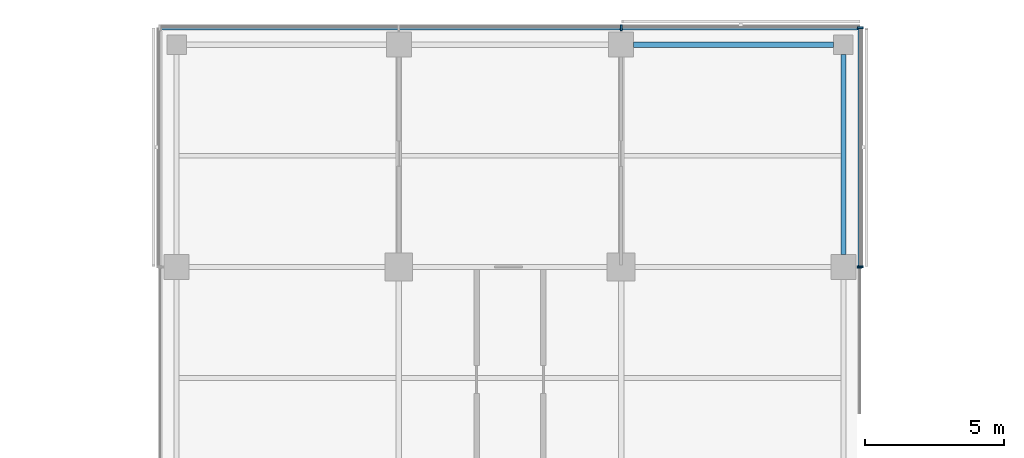
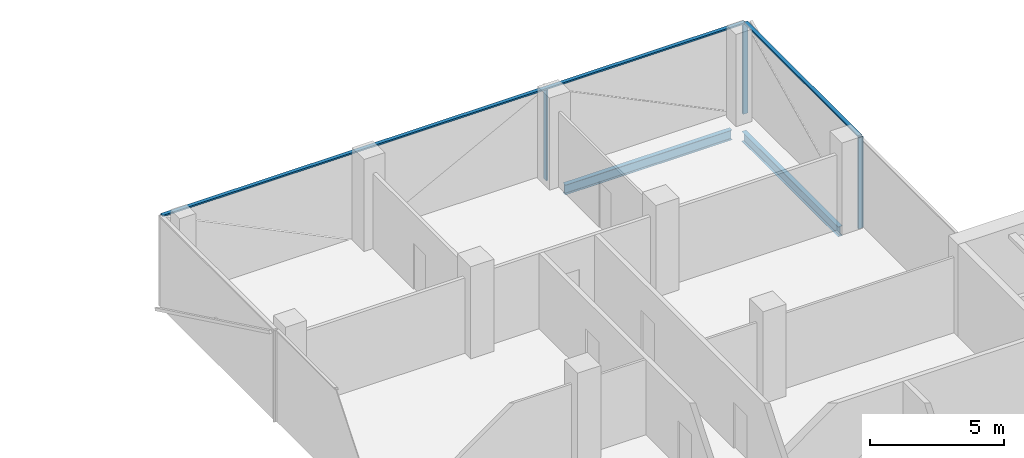
# One storey, part 10 of 22: 6 members, 2 beams, 3 elements without a shape of their own.
"""IFC4 building model written with IfcOpenShell, lengths in metres."""

import ifcopenshell
import ifcopenshell.guid

model = None  # the IFC model being written
_history = None  # IfcOwnerHistory: only IFC2X3 demands one
_inside = {}  # id of a spatial element -> (the spatial element, [elements in it])
_under = {}  # id of a project, library or spatial element -> (it, [spatial elements below it])
_declared = {}  # id of a project -> (the project, [libraries it declares])
_typed = {}  # id of a type object -> (the type object, [elements of that type])
_made_of = {}  # id of a material, layer set ... -> (it, [elements and type objects made of it])


def new_model(schema):
    """Start an empty IFC model of exactly this schema.

    Asked for "IFC4X3", IfcOpenShell would pick the latest addendum, in which some entities
    have other attributes; the version numbers below select the first issue.
    IFC2X3 requires an IfcOwnerHistory on every rooted entity: one is made here for all.
    """
    global model, _history
    if schema == "IFC4X3":
        model = ifcopenshell.file(schema_version=(4, 3, 0, 0))
    else:
        model = ifcopenshell.file(schema=schema)
    _inside.clear()
    _under.clear()
    _declared.clear()
    _typed.clear()
    _made_of.clear()
    _history = None
    if model.schema == "IFC2X3":
        org = make("IfcOrganization", Name="unknown")
        user = make(
            "IfcPersonAndOrganization",
            ThePerson=make("IfcPerson", FamilyName="unknown"),
            TheOrganization=org,
        )
        app = make(
            "IfcApplication",
            ApplicationDeveloper=org,
            Version="unknown",
            ApplicationFullName="unknown",
            ApplicationIdentifier="unknown",
        )
        _history = make(
            "IfcOwnerHistory",
            OwningUser=user,
            OwningApplication=app,
            ChangeAction="ADDED",
            CreationDate=0,
        )
    return model


def make(cls, **values):
    """One entity of the class cls with the attributes given. An attribute that is None is left unset."""
    return model.create_entity(
        cls, **{name: value for name, value in values.items() if value is not None}
    )


def rooted(cls, **values):
    """An entity with a GlobalId (a new one), such as an element, a storey or a relation."""
    return make(cls, GlobalId=ifcopenshell.guid.new(), OwnerHistory=_history, **values)


def si_unit(unit_type, name, prefix=None):
    """IfcSIUnit, for example si_unit("LENGTHUNIT", "METRE", prefix="MILLI")."""
    return make("IfcSIUnit", UnitType=unit_type, Prefix=prefix, Name=name)


def assignment(units):
    """IfcUnitAssignment: the units of a project."""
    return None if units is None else make("IfcUnitAssignment", Units=units)


def point(xyz):
    """IfcCartesianPoint."""
    return None if xyz is None else make("IfcCartesianPoint", Coordinates=xyz)


def direction(xyz):
    """IfcDirection."""
    return None if xyz is None else make("IfcDirection", DirectionRatios=xyz)


def frame(location, z_axis=None, x_axis=None):
    """IfcAxis2Placement3D, a coordinate frame: its origin and axes. An axis left out is left unset."""
    return make(
        "IfcAxis2Placement3D",
        Location=point(location),
        Axis=direction(z_axis),
        RefDirection=direction(x_axis),
    )


def frame_2d(location, x_axis=None):
    """IfcAxis2Placement2D, a coordinate frame in the plane: its origin and x axis."""
    return make(
        "IfcAxis2Placement2D", Location=point(location), RefDirection=direction(x_axis)
    )


def origin():
    """The frame at (0, 0, 0) with its axes left unset."""
    return frame((0.0, 0.0, 0.0))


def origin_2d():
    """The frame at (0, 0) in the plane with its x axis left unset."""
    return frame_2d((0.0, 0.0))


def place(relative_to, where):
    """IfcLocalPlacement: puts the frame where relative to a parent placement (None: the world)."""
    return make(
        "IfcLocalPlacement", PlacementRelTo=relative_to, RelativePlacement=where
    )


def context(
    kind, dimensions, precision=None, world=None, true_north=None, identifier=None
):
    """IfcGeometricRepresentationContext, for example the 3D "Model" context."""
    return make(
        "IfcGeometricRepresentationContext",
        ContextIdentifier=identifier,
        ContextType=kind,
        CoordinateSpaceDimension=dimensions,
        Precision=precision,
        WorldCoordinateSystem=world,
        TrueNorth=true_north,
    )


def subcontext(parent, identifier, kind, view, scale=None):
    """IfcGeometricRepresentationSubContext, for example "Body" below "Model"."""
    return make(
        "IfcGeometricRepresentationSubContext",
        ContextIdentifier=identifier,
        ContextType=kind,
        ParentContext=parent,
        TargetScale=scale,
        TargetView=view,
    )


def project(units=None, contexts=None):
    """IfcProject with its units and contexts."""
    return rooted(
        "IfcProject",
        Name="project",
        RepresentationContexts=contexts,
        UnitsInContext=assignment(units),
    )


def spatial(cls, under=None, at=None, **own):
    """A site, building, storey or space (cls), placed at a placement, below another one or the project."""
    s = rooted(cls, ObjectPlacement=at, **own)
    if under is not None:
        _under.setdefault(under.id(), (under, []))[1].append(s)
    return s


def profile(cls, at=None, kind="AREA", **sizes):
    """A parametric profile (cls). Its sizes go by their IFC names, for example OverallWidth=200.0."""
    return make(cls, ProfileType=kind, Position=at, **sizes)


def rectangle(**sizes):
    """IfcRectangleProfileDef."""
    return profile("IfcRectangleProfileDef", **sizes)


def i_section(**sizes):
    """IfcIShapeProfileDef."""
    return profile("IfcIShapeProfileDef", **sizes)


def extrude(swept, where, along, depth):
    """IfcExtrudedAreaSolid: the profile swept, set in the frame where, extruded along a direction by depth."""
    return make(
        "IfcExtrudedAreaSolid",
        SweptArea=swept,
        Position=where,
        ExtrudedDirection=direction(along),
        Depth=depth,
    )


def shape(context_of_items, identifier, shape_type, items):
    """IfcShapeRepresentation: the items that make up one representation, for example the "Body"."""
    return make(
        "IfcShapeRepresentation",
        ContextOfItems=context_of_items,
        RepresentationIdentifier=identifier,
        RepresentationType=shape_type,
        Items=items,
    )


def material(Name=None, Category=None):
    """IfcMaterial."""
    return make("IfcMaterial", Name=Name, Category=Category)


def material_profile(
    of_material, cross_section, Name=None, Category=None, Priority=None
):
    """IfcMaterialProfile: a cross section and its material."""
    return make(
        "IfcMaterialProfile",
        Name=Name,
        Material=of_material,
        Profile=cross_section,
        Priority=Priority,
        Category=Category,
    )


def profile_set(profiles, Name=None, composite=None):
    """IfcMaterialProfileSet."""
    return make(
        "IfcMaterialProfileSet",
        Name=Name,
        MaterialProfiles=profiles,
        CompositeProfile=composite,
    )


def made_of(thing, what):
    """Note that an element or type object is made of a material, layer set ...; save() writes the relation."""
    if what is not None:
        _made_of.setdefault(what.id(), (what, []))[1].append(thing)
    return thing


def type_object(cls, material=None, **own):
    """A type object (cls), such as IfcWallType, which elements share."""
    return made_of(rooted(cls, **own), material)


def element(
    cls,
    number,
    at=None,
    inside=None,
    cuts=None,
    type_object=None,
    material=None,
    context=None,
    identifier="Body",
    shape_type=None,
    held_by="IfcProductDefinitionShape",
    body=None,
    shapes=None,
    **own,
):
    """One element of the class cls, such as IfcWall. Its Tag is "e" and its number.

    at: its placement. inside: the storey or other place that contains it. cuts: it is an
    opening in that element (IfcRelVoidsElement). A single representation is given by context,
    identifier, shape_type and body (its items); several are given by shapes. held_by: the class
    of the entity that holds the representations. save() writes the other relations.
    """
    e = rooted(cls, Tag="e%d" % number, ObjectPlacement=at, **own)
    if body is not None:
        shapes = [shape(context, identifier, shape_type, body)]
    if shapes is not None:
        e.Representation = make(held_by, Representations=shapes)
    if inside is not None:
        _inside.setdefault(inside.id(), (inside, []))[1].append(e)
    if cuts is not None:
        rooted(
            "IfcRelVoidsElement", RelatingBuildingElement=cuts, RelatedOpeningElement=e
        )
    if type_object is not None:
        _typed.setdefault(type_object.id(), (type_object, []))[1].append(e)
    return made_of(e, material)


def aggregate(whole, parts):
    """IfcRelAggregates: a whole, such as a stair, and the parts it consists of."""
    return rooted("IfcRelAggregates", RelatingObject=whole, RelatedObjects=parts)


def save(model, path):
    """Write the relations noted so far, then the file.

    IfcRelAggregates (storeys below a building ...), IfcRelContainedInSpatialStructure (elements
    in a storey), IfcRelDefinesByType, IfcRelAssociatesMaterial and IfcRelDeclares: one each for
    every whole, place, type object, material and project.
    """
    for whole, parts in _under.values():
        aggregate(whole, parts)
    for where, things in _inside.values():
        rooted(
            "IfcRelContainedInSpatialStructure",
            RelatedElements=things,
            RelatingStructure=where,
        )
    for kind, things in _typed.values():
        rooted("IfcRelDefinesByType", RelatedObjects=things, RelatingType=kind)
    for what, things in _made_of.values():
        rooted("IfcRelAssociatesMaterial", RelatedObjects=things, RelatingMaterial=what)
    for by, libraries in _declared.values():
        rooted("IfcRelDeclares", RelatingContext=by, RelatedDefinitions=libraries)
    model.write(path)


model = new_model("IFC4")

# Units and contexts
model_context = context("Model", 3, precision=1e-05, world=origin(), true_north=direction((0.0, 1.0)))
body_context = subcontext(model_context, "Body", "Model", "MODEL_VIEW")
ifc_project = project(units=[si_unit("LENGTHUNIT", "METRE"), si_unit("AREAUNIT", "SQUARE_METRE"), si_unit("VOLUMEUNIT", "CUBIC_METRE"), si_unit("PLANEANGLEUNIT", "RADIAN"), si_unit("MASSUNIT", "GRAM", prefix="KILO")], contexts=[model_context])

# Site, building, storey
site_placement = place(None, origin())
site = spatial("IfcSite", under=ifc_project, at=site_placement, CompositionType="ELEMENT")
building_placement = place(site_placement, origin())
building = spatial("IfcBuilding", under=site, at=building_placement, Name="Crosswind Convention Tower", CompositionType="ELEMENT")
storey_placement = place(building_placement, frame((0.0, 0.0, 129.5)))
storey = spatial("IfcBuildingStorey", under=building, at=storey_placement, Name="L26", CompositionType="ELEMENT", Elevation=129.5)

# Beams
ifc_material_1 = material(Name="Steel S355", Category="steel")
ifc_material_profile_1 = material_profile(ifc_material_1, i_section(OverallWidth=0.18994140625, OverallDepth=0.45361328125, WebThickness=0.008544921875, FlangeThickness=0.0126953125, FilletRadius=0.01025390625, at=origin_2d()), Name="UB 457x191x67")
ifc_profile_set_1 = profile_set([ifc_material_profile_1], Name="Steel S355")
beam_type = type_object("IfcBeamType", Name="Edge beam UB 457x191x67", PredefinedType="SPANDREL", material=ifc_profile_set_1)
for number, where, z_axis, x_axis, name in (
    (1, (129.449951171875, 128.0, -0.52685546875), (1.0, 0.0, 0.0), (0.0, 1.0, 0.0), "B16 L26 edge beam 15"),
    (2, (137.0, 120.449951171875, -0.52685546875), (0.0, 1.0, 0.0), (-1.0, 0.0, 0.0), "B16 L26 edge beam 19"),
):
    element("IfcBeam", number, at=place(storey_placement, frame(where, z_axis=z_axis, x_axis=x_axis)), inside=storey, type_object=beam_type, Name=name, PredefinedType="SPANDREL", context=body_context, shape_type="SweptSolid", body=[
        extrude(i_section(OverallWidth=0.18994140625, OverallDepth=0.45361328125, WebThickness=0.008544921875, FlangeThickness=0.0126953125, FilletRadius=0.01025390625, at=origin_2d()), origin(), (0.0, 0.0, 1.0), 7.199951171875),
    ])

# Curtain wall, member
ifc_material_2 = material(Name="Aluminium unitised curtain wall", Category="aluminium")
curtain_wall_type_1 = type_object("IfcCurtainWallType", Name="CORE END SLOT WALL 160", PredefinedType="USERDEFINED", material=ifc_material_2)
curtain_wall_1_placement = place(storey_placement, origin())
curtain_wall_1 = element("IfcCurtainWall", 3, at=curtain_wall_1_placement, inside=storey, type_object=curtain_wall_type_1, Name="CW6 L26 N-E.1-1 slot", ObjectType="UNITISED", PredefinedType="USERDEFINED")
ifc_material_3 = material(Name="Aluminium mullion", Category="aluminium")
ifc_material_profile_2 = material_profile(ifc_material_3, rectangle(XDim=0.159912109375, YDim=0.050048828125, at=origin_2d()), Name="AL 160X50")
ifc_profile_set_2 = profile_set([ifc_material_profile_2], Name="Aluminium mullion")
member_type_1 = type_object("IfcMemberType", Name="MULLION 50X160", PredefinedType="MULLION", material=ifc_profile_set_2)
member_1_placement = place(storey_placement, frame((137.580078125, 119.97509765625, -0.300048828125), z_axis=(0.0, 0.0, 1.0), x_axis=(1.0, 0.0, 0.0)))
member_1 = element("IfcMember", 4, at=member_1_placement, type_object=member_type_1, Name="CW6 mullion 2", PredefinedType="MULLION", context=body_context, shape_type="SweptSolid", body=[
    extrude(rectangle(XDim=0.159912109375, YDim=0.050048828125, at=origin_2d()), origin(), (0.0, 0.0, 1.0), 4.150146484375),
])
aggregate(curtain_wall_1, [member_1])

# Curtain wall, members
curtain_wall_type_2 = type_object("IfcCurtainWallType", Name="OFFICE UNITISED WALL 220", PredefinedType="USERDEFINED", material=ifc_material_2)
curtain_wall_2_placement = place(storey_placement, origin())
curtain_wall_2 = element("IfcCurtainWall", 5, at=curtain_wall_2_placement, inside=storey, type_object=curtain_wall_type_2, Name="CW3 L26 N-E 1", ObjectType="UNITISED", PredefinedType="USERDEFINED")
ifc_material_profile_3 = material_profile(ifc_material_3, rectangle(XDim=0.219970703125, YDim=0.070068359375, at=origin_2d()), Name="AL 220X70")
ifc_profile_set_3 = profile_set([ifc_material_profile_3], Name="Aluminium mullion")
member_type_2 = type_object("IfcMemberType", Name="MULLION 70X220", PredefinedType="MULLION", material=ifc_profile_set_3)
member_2_placement = place(storey_placement, frame((137.610107421875, 120.0, -0.300048828125), z_axis=(0.0, 0.0, 1.0), x_axis=(1.0, 0.0, 0.0)))
member_2 = element("IfcMember", 6, at=member_2_placement, type_object=member_type_2, Name="CW3 mullion 1", PredefinedType="MULLION", context=body_context, shape_type="SweptSolid", body=[
    extrude(rectangle(XDim=0.219970703125, YDim=0.070068359375, at=origin_2d()), origin(), (0.0, 0.0, 1.0), 4.130126953125),
])
member_3_placement = place(storey_placement, frame((137.610107421875, 128.610107421875, -0.300048828125), z_axis=(0.0, 0.0, 1.0), x_axis=(1.0, 0.0, 0.0)))
member_3 = element("IfcMember", 7, at=member_3_placement, type_object=member_type_2, Name="CW3 mullion 2", PredefinedType="MULLION", context=body_context, shape_type="SweptSolid", body=[
    extrude(rectangle(XDim=0.219970703125, YDim=0.070068359375, at=origin_2d()), origin(), (0.0, 0.0, 1.0), 4.130126953125),
])

# Curtain wall, member
curtain_wall_3_placement = place(storey_placement, origin())
curtain_wall_3 = element("IfcCurtainWall", 8, at=curtain_wall_3_placement, inside=storey, type_object=curtain_wall_type_2, Name="CW3 L26 N-TIP 1", ObjectType="UNITISED", PredefinedType="USERDEFINED")
member_4_placement = place(storey_placement, frame((129.0, 128.610107421875, -0.300048828125), z_axis=(0.0, 0.0, 1.0), x_axis=(0.0, 1.0, 0.0)))
member_4 = element("IfcMember", 9, at=member_4_placement, type_object=member_type_2, Name="CW3 mullion 2", PredefinedType="MULLION", context=body_context, shape_type="SweptSolid", body=[
    extrude(rectangle(XDim=0.219970703125, YDim=0.070068359375, at=origin_2d()), origin(), (0.0, 0.0, 1.0), 4.130126953125),
])

# Member
ifc_material_4 = material(Name="Aluminium transom", Category="aluminium")
ifc_material_profile_4 = material_profile(ifc_material_4, rectangle(XDim=0.159912109375, YDim=0.070068359375, at=origin_2d()), Name="AL 160X70")
ifc_profile_set_4 = profile_set([ifc_material_profile_4], Name="Aluminium transom")
member_type_3 = type_object("IfcMemberType", Name="TRANSOM 70X160", PredefinedType="USERDEFINED", material=ifc_profile_set_4)
member_5_placement = place(storey_placement, frame((137.610107421875, 120.034912109375, 3.864990234375), z_axis=(0.0, 1.0, 0.0), x_axis=(-1.0, 0.0, 0.0)))
member_5 = element("IfcMember", 10, at=member_5_placement, type_object=member_type_3, Name="CW3 transom", ObjectType="TRANSOM", PredefinedType="USERDEFINED", context=body_context, shape_type="SweptSolid", body=[
    extrude(rectangle(XDim=0.159912109375, YDim=0.070068359375, at=origin_2d()), origin(), (0.0, 0.0, 1.0), 8.5400390625),
])

aggregate(curtain_wall_2, [member_2, member_3, member_5])

member_6_placement = place(storey_placement, frame((137.574951171875, 128.610107421875, 3.864990234375), z_axis=(-1.0, 0.0, 0.0), x_axis=(0.0, -1.0, 0.0)))
member_6 = element("IfcMember", 11, at=member_6_placement, type_object=member_type_3, Name="CW3 transom", ObjectType="TRANSOM", PredefinedType="USERDEFINED", context=body_context, shape_type="SweptSolid", body=[
    extrude(rectangle(XDim=0.159912109375, YDim=0.070068359375, at=origin_2d()), origin(), (0.0, 0.0, 1.0), 25.14990234375),
])

aggregate(curtain_wall_3, [member_4, member_6])

save(model, "model.ifc")
